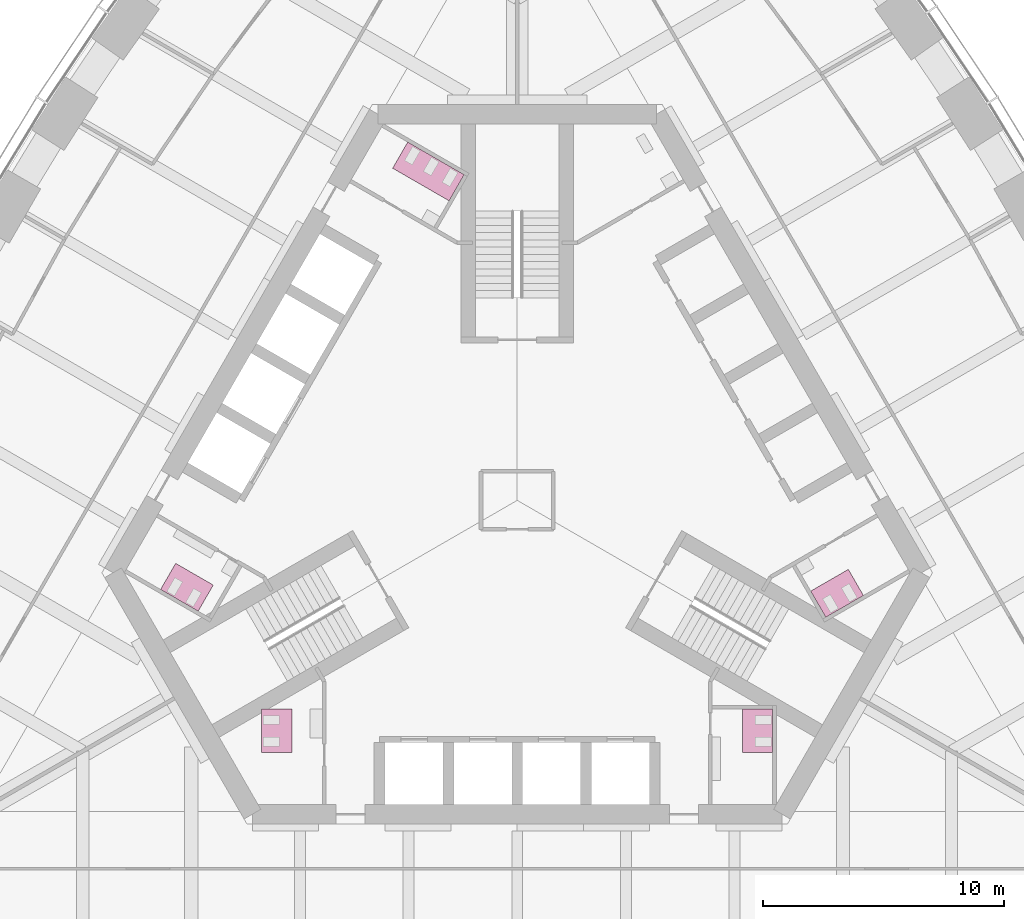
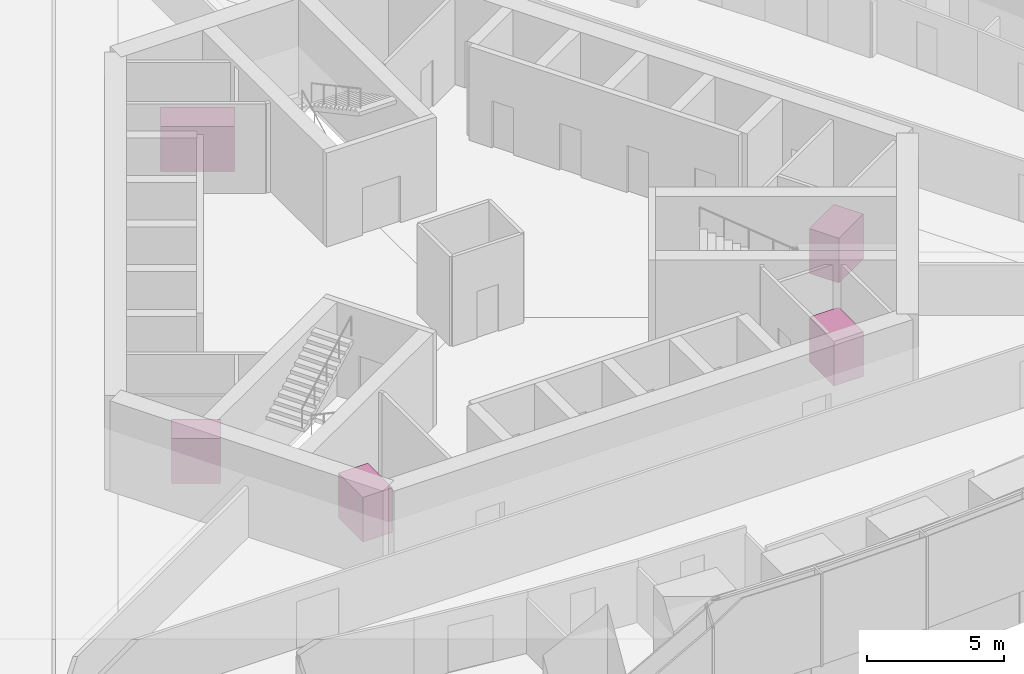
# One storey, part 19 of 19: 5 furniture elements.
"""IFC4 building model written with IfcOpenShell, lengths in metres."""

from ifc_helpers import new_model, si_unit, direction, frame, origin, place, context, subcontext, project, spatial, polyline, outline, extrude, material, type_object, element, save


model = new_model("IFC4")

# Units and contexts
model_context = context("Model", 3, precision=1e-05, world=origin(), true_north=direction((0.0, 1.0)))
body_context = subcontext(model_context, "Body", "Model", "MODEL_VIEW")
ifc_project = project(units=[si_unit("LENGTHUNIT", "METRE"), si_unit("AREAUNIT", "SQUARE_METRE"), si_unit("VOLUMEUNIT", "CUBIC_METRE"), si_unit("PLANEANGLEUNIT", "RADIAN"), si_unit("MASSUNIT", "GRAM", prefix="KILO")], contexts=[model_context])

# Site, building, storey
site_placement = place(None, origin())
site = spatial("IfcSite", under=ifc_project, at=site_placement, CompositionType="ELEMENT")
building_placement = place(site_placement, origin())
building = spatial("IfcBuilding", under=site, at=building_placement, Name="Trefoil Bronze Tower", CompositionType="ELEMENT")
storey_placement = place(building_placement, frame((0.0, 0.0, 189.699951171875)))
storey = spatial("IfcBuildingStorey", under=building, at=storey_placement, Name="L43", CompositionType="ELEMENT", Elevation=189.699951171875)

# Furniture
ifc_material_1 = material(Name="Compact laminate cubicles", Category="plastic")
furniture_type_1 = type_object("IfcFurnitureType", Name="WC cubicle range 2 cubicles", AssemblyPlace="FACTORY", PredefinedType="USERDEFINED", material=ifc_material_1)
furniture_1_placement = place(storey_placement, origin())
element("IfcFurniture", 1, at=furniture_1_placement, inside=storey, type_object=furniture_type_1, Name="WC cubicle range WC (men) L43", ObjectType="WC cubicle range", PredefinedType="USERDEFINED", context=body_context, shape_type="SweptSolid", body=[
    extrude(outline(polyline([(9.3349609375, -8.64990234375), (10.5849609375, -8.64990234375), (10.5849609375, -10.449951171875), (9.3349609375, -10.449951171875), (9.3349609375, -8.64990234375)])), origin(), (0.0, 0.0, 1.0), 2.0),
])
furniture_2_placement = place(storey_placement, origin())
element("IfcFurniture", 2, at=furniture_2_placement, inside=storey, type_object=furniture_type_1, Name="WC cubicle range WC (women) L43", ObjectType="WC cubicle range", PredefinedType="USERDEFINED", context=body_context, shape_type="SweptSolid", body=[
    extrude(outline(polyline([(12.15869140625, -3.75927734375), (12.78369140625, -4.841796875), (14.342529296875, -3.94189453125), (13.717529296875, -2.859375), (12.15869140625, -3.75927734375)])), origin(), (0.0, 0.0, 1.0), 2.0),
])
furniture_3_placement = place(storey_placement, origin())
element("IfcFurniture", 3, at=furniture_3_placement, inside=storey, type_object=furniture_type_1, Name="WC cubicle range WC (men) L43", ObjectType="WC cubicle range", PredefinedType="USERDEFINED", context=body_context, shape_type="SweptSolid", body=[
    extrude(outline(polyline([(-12.591552734375, -3.50927734375), (-13.216552734375, -4.591796875), (-14.775390625, -3.69189453125), (-14.150390625, -2.609375), (-12.591552734375, -3.50927734375)])), origin(), (0.0, 0.0, 1.0), 2.0),
])
furniture_4_placement = place(storey_placement, origin())
element("IfcFurniture", 4, at=furniture_4_placement, inside=storey, type_object=furniture_type_1, Name="WC cubicle range WC (women) L43", ObjectType="WC cubicle range", PredefinedType="USERDEFINED", context=body_context, shape_type="SweptSolid", body=[
    extrude(outline(polyline([(-9.3349609375, -8.64990234375), (-10.5849609375, -8.64990234375), (-10.5849609375, -10.449951171875), (-9.3349609375, -10.449951171875), (-9.3349609375, -8.64990234375)])), origin(), (0.0, 0.0, 1.0), 2.0),
])
ifc_material_2 = material(Name="Compact laminate cubicles", Category="plastic")
furniture_type_2 = type_object("IfcFurnitureType", Name="WC cubicle range 3 cubicles", AssemblyPlace="FACTORY", PredefinedType="USERDEFINED", material=ifc_material_2)
furniture_5_placement = place(storey_placement, origin())
element("IfcFurniture", 5, at=furniture_5_placement, inside=storey, type_object=furniture_type_2, Name="WC cubicle range WC (women) L43", ObjectType="WC cubicle range", PredefinedType="USERDEFINED", context=body_context, shape_type="SweptSolid", body=[
    extrude(outline(polyline([(-2.82373046875, 12.409423828125), (-2.19873046875, 13.491943359375), (-4.536865234375, 14.841796875), (-5.161865234375, 13.75927734375), (-2.82373046875, 12.409423828125)])), origin(), (0.0, 0.0, 1.0), 2.0),
])

save(model, "model.ifc")
